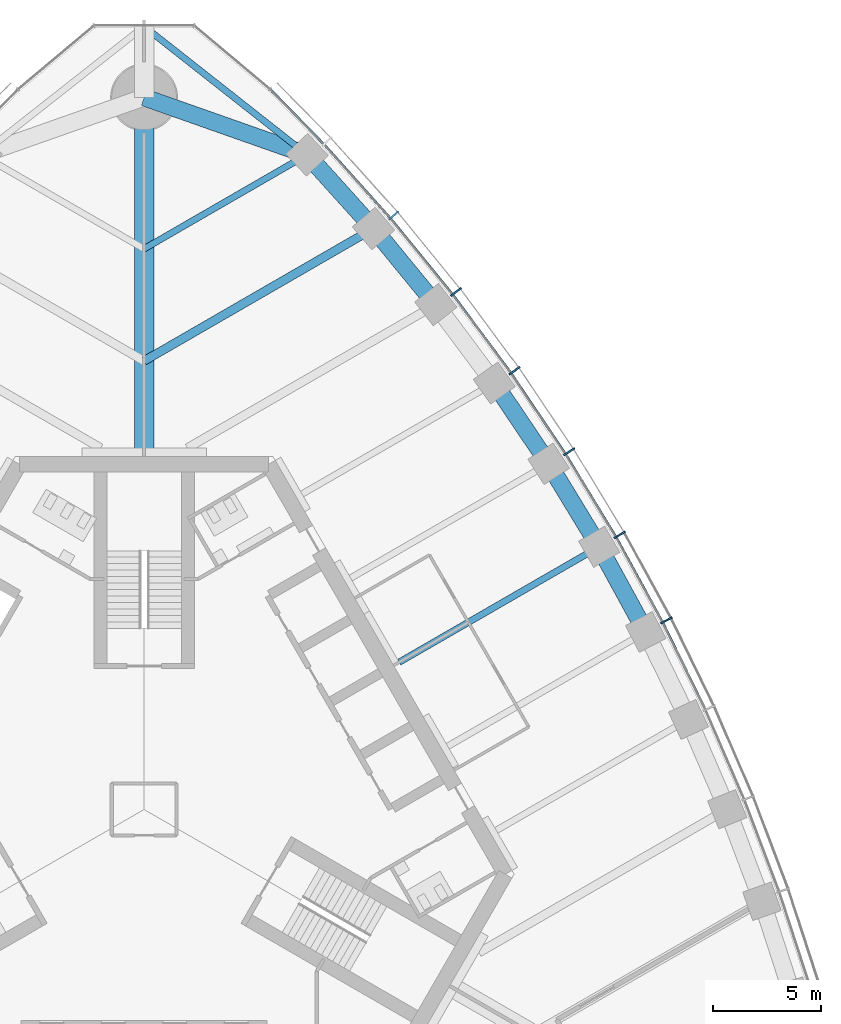
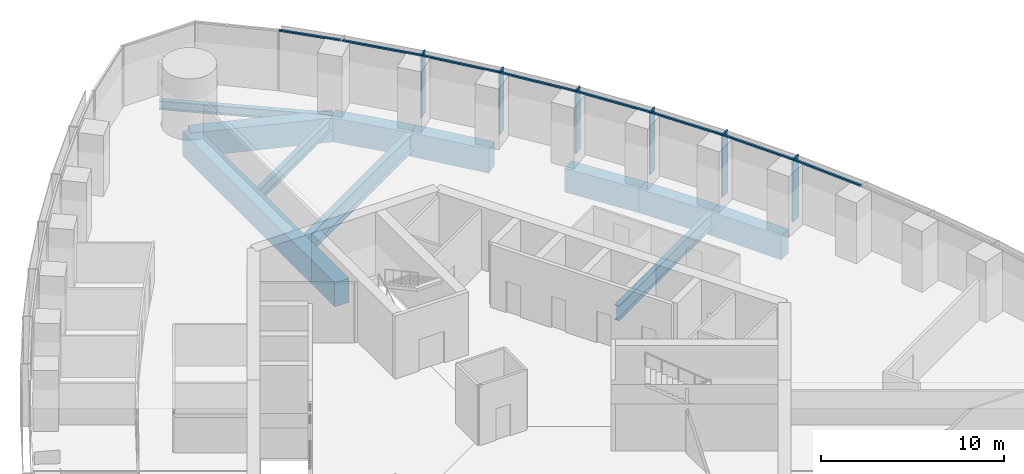
# One storey, part 7 of 19: 14 members, 11 beams, 1 element without a shape of its own.
"""IFC4 building model written with IfcOpenShell, lengths in metres."""

from ifc_helpers import new_model, si_unit, direction, frame, origin, origin_2d, place, context, subcontext, project, spatial, rectangle, i_section, extrude, material, material_profile, profile_set, type_object, element, aggregate, save


model = new_model("IFC4")

# Units and contexts
model_context = context("Model", 3, precision=1e-05, world=origin(), true_north=direction((0.0, 1.0)))
body_context = subcontext(model_context, "Body", "Model", "MODEL_VIEW")
ifc_project = project(units=[si_unit("LENGTHUNIT", "METRE"), si_unit("AREAUNIT", "SQUARE_METRE"), si_unit("VOLUMEUNIT", "CUBIC_METRE"), si_unit("PLANEANGLEUNIT", "RADIAN"), si_unit("MASSUNIT", "GRAM", prefix="KILO")], contexts=[model_context])

# Site, building, storey
site_placement = place(None, origin())
site = spatial("IfcSite", under=ifc_project, at=site_placement, CompositionType="ELEMENT")
building_placement = place(site_placement, origin())
building = spatial("IfcBuilding", under=site, at=building_placement, Name="Trefoil Bronze Tower", CompositionType="ELEMENT")
storey_placement = place(building_placement, frame((0.0, 0.0, 248.5)))
storey = spatial("IfcBuildingStorey", under=building, at=storey_placement, Name="L57", CompositionType="ELEMENT", Elevation=248.5)

# Curtain wall, members
ifc_material_1 = material(Name="Tinted solar-control glass", Category="glass")
curtain_wall_type = type_object("IfcCurtainWallType", Name="Bronze office curtain wall", PredefinedType="USERDEFINED", material=ifc_material_1)
curtain_wall_placement = place(storey_placement, origin())
curtain_wall = element("IfcCurtainWall", 1, at=curtain_wall_placement, inside=storey, type_object=curtain_wall_type, Name="CW-A L57 F2", ObjectType="CURTAIN WALL", PredefinedType="USERDEFINED")
ifc_material_2 = material(Name="Bronze-finish aluminium", Category="aluminium")
ifc_material_profile_1 = material_profile(ifc_material_2, rectangle(XDim=0.60009765625, YDim=0.080078125, at=origin_2d()), Name="CW-A mullion")
ifc_profile_set_1 = profile_set([ifc_material_profile_1], Name="Bronze-finish aluminium")
member_type_1 = type_object("IfcMemberType", Name="Bronze office curtain wall mullion", PredefinedType="MULLION", material=ifc_profile_set_1)
member_1_placement = place(storey_placement, frame((24.2080078125, 8.764404296875, 0.0), z_axis=(0.0, 0.0, 1.0), x_axis=(-0.888088206965, -0.459673075837, 0.0)))
member_1 = element("IfcMember", 2, at=member_1_placement, type_object=member_type_1, Name="CW-A L57 F2 mullion 6", PredefinedType="MULLION", context=body_context, shape_type="SweptSolid", body=[
    extrude(rectangle(XDim=0.60009765625, YDim=0.080078125, at=origin_2d()), origin(), (0.0, 0.0, 1.0), 4.179931640625),
])
member_2_placement = place(storey_placement, frame((22.041015625, 12.725341796875, 0.0), z_axis=(0.0, 0.0, 1.0), x_axis=(-0.866025403784, -0.5, 0.0)))
member_2 = element("IfcMember", 3, at=member_2_placement, type_object=member_type_1, Name="CW-A L57 F2 mullion 7", PredefinedType="MULLION", context=body_context, shape_type="SweptSolid", body=[
    extrude(rectangle(XDim=0.60009765625, YDim=0.080078125, at=origin_2d()), origin(), (0.0, 0.0, 1.0), 4.179931640625),
])
member_3_placement = place(storey_placement, frame((19.694091796875, 16.58251953125, 0.0), z_axis=(0.0, 0.0, 1.0), x_axis=(-0.842132664593, -0.539270410114, 0.0)))
member_3 = element("IfcMember", 4, at=member_3_placement, type_object=member_type_1, Name="CW-A L57 F2 mullion 8", PredefinedType="MULLION", context=body_context, shape_type="SweptSolid", body=[
    extrude(rectangle(XDim=0.60009765625, YDim=0.080078125, at=origin_2d()), origin(), (0.0, 0.0, 1.0), 4.179931640625),
])
member_4_placement = place(storey_placement, frame((17.167236328125, 20.335693359375, 0.0), z_axis=(0.0, 0.0, 1.0), x_axis=(-0.81640398396, -0.577481198806, 0.0)))
member_4 = element("IfcMember", 5, at=member_4_placement, type_object=member_type_1, Name="CW-A L57 F2 mullion 9", PredefinedType="MULLION", context=body_context, shape_type="SweptSolid", body=[
    extrude(rectangle(XDim=0.60009765625, YDim=0.080078125, at=origin_2d()), origin(), (0.0, 0.0, 1.0), 4.179931640625),
])
member_5_placement = place(storey_placement, frame((14.45849609375, 23.98388671875, 0.0), z_axis=(0.0, 0.0, 1.0), x_axis=(-0.788821461078, -0.614622406476, 0.0)))
member_5 = element("IfcMember", 6, at=member_5_placement, type_object=member_type_1, Name="CW-A L57 F2 mullion 10", PredefinedType="MULLION", context=body_context, shape_type="SweptSolid", body=[
    extrude(rectangle(XDim=0.60009765625, YDim=0.080078125, at=origin_2d()), origin(), (0.0, 0.0, 1.0), 4.179931640625),
])
member_6_placement = place(storey_placement, frame((11.564697265625, 27.525146484375, 0.0), z_axis=(0.0, 0.0, 1.0), x_axis=(-0.75935470958, -0.650676897576, 0.0)))
member_6 = element("IfcMember", 7, at=member_6_placement, type_object=member_type_1, Name="CW-A L57 F2 mullion 11", PredefinedType="MULLION", context=body_context, shape_type="SweptSolid", body=[
    extrude(rectangle(XDim=0.60009765625, YDim=0.080078125, at=origin_2d()), origin(), (0.0, 0.0, 1.0), 4.179931640625),
])
ifc_material_3 = material(Name="Bronze-finish aluminium", Category="aluminium")
ifc_material_profile_2 = material_profile(ifc_material_3, rectangle(XDim=0.1201171875, YDim=0.10009765625, at=origin_2d()), Name="CW-A transom")
ifc_profile_set_2 = profile_set([ifc_material_profile_2], Name="Bronze-finish aluminium")
member_type_2 = type_object("IfcMemberType", Name="Bronze office curtain wall transom", PredefinedType="USERDEFINED", material=ifc_profile_set_2)
member_7_placement = place(storey_placement, frame((25.99462890625, 4.65380859375, 4.1298828125), z_axis=(-0.439150835991, 0.898413347657, 0.0), x_axis=(-0.898413347657, -0.439150835991, 0.0)))
member_7 = element("IfcMember", 8, at=member_7_placement, type_object=member_type_2, Name="CW-A L57 F2 transom 5", ObjectType="TRANSOM", PredefinedType="USERDEFINED", context=body_context, shape_type="SweptSolid", body=[
    extrude(rectangle(XDim=0.1201171875, YDim=0.10009765625, at=origin_2d()), origin(), (0.0, 0.0, 1.0), 4.430908203125),
])
member_8_placement = place(storey_placement, frame((24.010009765625, 8.70947265625, 4.1298828125), z_axis=(-0.479973729071, 0.877282861683, 0.0), x_axis=(-0.877282861683, -0.479973729071, 0.0)))
member_8 = element("IfcMember", 9, at=member_8_placement, type_object=member_type_2, Name="CW-A L57 F2 transom 6", ObjectType="TRANSOM", PredefinedType="USERDEFINED", context=body_context, shape_type="SweptSolid", body=[
    extrude(rectangle(XDim=0.1201171875, YDim=0.10009765625, at=origin_2d()), origin(), (0.0, 0.0, 1.0), 4.421142578125),
])
member_9_placement = place(storey_placement, frame((21.845703125, 12.661376953125, 4.1298828125), z_axis=(-0.519740214649, 0.854324358354, 0.0), x_axis=(-0.854324358354, -0.519740214649, 0.0)))
member_9 = element("IfcMember", 10, at=member_9_placement, type_object=member_type_2, Name="CW-A L57 F2 transom 7", ObjectType="TRANSOM", PredefinedType="USERDEFINED", context=body_context, shape_type="SweptSolid", body=[
    extrude(rectangle(XDim=0.1201171875, YDim=0.10009765625, at=origin_2d()), origin(), (0.0, 0.0, 1.0), 4.421142578125),
])
member_10_placement = place(storey_placement, frame((19.502197265625, 16.509765625, 4.1298828125), z_axis=(-0.558509087547, 0.829498402125, 0.0), x_axis=(-0.829498402125, -0.558509087547, 0.0)))
member_10 = element("IfcMember", 11, at=member_10_placement, type_object=member_type_2, Name="CW-A L57 F2 transom 8", ObjectType="TRANSOM", PredefinedType="USERDEFINED", context=body_context, shape_type="SweptSolid", body=[
    extrude(rectangle(XDim=0.1201171875, YDim=0.10009765625, at=origin_2d()), origin(), (0.0, 0.0, 1.0), 4.4306640625),
])
member_11_placement = place(storey_placement, frame((16.978759765625, 20.254150390625, 4.1298828125), z_axis=(-0.59614822717, 0.802874393191, 0.0), x_axis=(-0.802874393191, -0.59614822717, 0.0)))
member_11 = element("IfcMember", 12, at=member_11_placement, type_object=member_type_2, Name="CW-A L57 F2 transom 9", ObjectType="TRANSOM", PredefinedType="USERDEFINED", context=body_context, shape_type="SweptSolid", body=[
    extrude(rectangle(XDim=0.1201171875, YDim=0.10009765625, at=origin_2d()), origin(), (0.0, 0.0, 1.0), 4.449951171875),
])
member_12_placement = place(storey_placement, frame((14.27392578125, 23.8935546875, 4.1298828125), z_axis=(-0.632756871921, 0.774350528531, 0.0), x_axis=(-0.774350528531, -0.632756871921, 0.0)))
member_12 = element("IfcMember", 13, at=member_12_placement, type_object=member_type_2, Name="CW-A L57 F2 transom 10", ObjectType="TRANSOM", PredefinedType="USERDEFINED", context=body_context, shape_type="SweptSolid", body=[
    extrude(rectangle(XDim=0.1201171875, YDim=0.10009765625, at=origin_2d()), origin(), (0.0, 0.0, 1.0), 4.4794921875),
])
member_13_placement = place(storey_placement, frame((11.384521484375, 27.426513671875, 4.1298828125), z_axis=(-0.66825109551, 0.743935799213, 0.0), x_axis=(-0.743935799213, -0.66825109551, 0.0)))
member_13 = element("IfcMember", 14, at=member_13_placement, type_object=member_type_2, Name="CW-A L57 F2 transom 11", ObjectType="TRANSOM", PredefinedType="USERDEFINED", context=body_context, shape_type="SweptSolid", body=[
    extrude(rectangle(XDim=0.1201171875, YDim=0.10009765625, at=origin_2d()), origin(), (0.0, 0.0, 1.0), 4.519287109375),
])
member_14_placement = place(storey_placement, frame((8.306884765625, 30.85009765625, 4.1298828125), z_axis=(-0.698646935368, 0.715466602785, 0.0), x_axis=(-0.715466602785, -0.698646935368, 0.0)))
member_14 = element("IfcMember", 15, at=member_14_placement, type_object=member_type_2, Name="CW-A L57 F2 transom 12", ObjectType="TRANSOM", PredefinedType="USERDEFINED", context=body_context, shape_type="SweptSolid", body=[
    extrude(rectangle(XDim=0.1201171875, YDim=0.10009765625, at=origin_2d()), origin(), (0.0, 0.0, 1.0), 3.483642578125),
])
aggregate(curtain_wall, [member_1, member_2, member_3, member_4, member_5, member_6, member_7, member_8, member_9, member_10, member_11, member_12, member_13, member_14])

# Beams
ifc_material_4 = material(Name="Steel C355", Category="steel")
ifc_material_profile_3 = material_profile(ifc_material_4, i_section(OverallWidth=0.300048828125, OverallDepth=0.60009765625, WebThickness=0.015380859375, FlangeThickness=0.030029296875, FilletRadius=0.027099609375, at=origin_2d()), Name="HEB 600")
ifc_profile_set_3 = profile_set([ifc_material_profile_3], Name="Steel C355")
beam_type_1 = type_object("IfcBeamType", Name="Corner edge beam HEB 600", PredefinedType="BEAM", material=ifc_profile_set_3)
beam_1_placement = place(storey_placement, frame((7.552001953125, 30.3408203125, -0.5), z_axis=(-0.785805912008, 0.618473175371, 0.0), x_axis=(-0.618473175371, -0.785805912008, 0.0)))
element("IfcBeam", 16, at=beam_1_placement, inside=storey, type_object=beam_type_1, Name="Corner edge beam F2A L57", PredefinedType="BEAM", context=body_context, shape_type="SweptSolid", body=[
    extrude(i_section(OverallWidth=0.300048828125, OverallDepth=0.60009765625, WebThickness=0.015380859375, FlangeThickness=0.030029296875, FilletRadius=0.027099609375, at=origin_2d()), origin(), (0.0, 0.0, 1.0), 9.610595703125),
])
ifc_material_5 = material(Name="Concrete B80", Category="concrete")
ifc_material_profile_4 = material_profile(ifc_material_5, rectangle(XDim=0.89990234375, YDim=1.60009765625, at=origin_2d()), Name="RC 900x1600")
ifc_profile_set_4 = profile_set([ifc_material_profile_4], Name="Concrete B80")
beam_type_2 = type_object("IfcBeamType", Name="Corner girder RC 900x1600", PredefinedType="BEAM", material=ifc_profile_set_4)
beam_2_placement = place(storey_placement, frame((0.0, 16.35009765625, -1.0), z_axis=(0.0, 1.0, 0.0), x_axis=(-1.0, 0.0, 0.0)))
element("IfcBeam", 17, at=beam_2_placement, inside=storey, type_object=beam_type_2, Name="Corner girder K2 L57", PredefinedType="BEAM", context=body_context, shape_type="SweptSolid", body=[
    extrude(rectangle(XDim=0.89990234375, YDim=1.60009765625, at=origin_2d()), origin(), (0.0, 0.0, 1.0), 16.64990234375),
])
ifc_material_6 = material(Name="Concrete B80", Category="concrete")
ifc_material_profile_5 = material_profile(ifc_material_6, rectangle(XDim=0.800048828125, YDim=1.60009765625, at=origin_2d()), Name="RC 800x1600")
ifc_profile_set_5 = profile_set([ifc_material_profile_5], Name="Concrete B80")
beam_type_3 = type_object("IfcBeamType", Name="End spandrel beam RC 800x1600", PredefinedType="SPANDREL", material=ifc_profile_set_5)
beam_3_placement = place(storey_placement, frame((7.552001953125, 30.3408203125, -1.0), z_axis=(-0.943234397359, 0.332127794137, 0.0), x_axis=(-0.332127794137, -0.943234397359, 0.0)))
element("IfcBeam", 18, at=beam_3_placement, inside=storey, type_object=beam_type_3, Name="Spandrel F2.12 L57", PredefinedType="SPANDREL", context=body_context, shape_type="SweptSolid", body=[
    extrude(rectangle(XDim=0.800048828125, YDim=1.60009765625, at=origin_2d()), origin(), (0.0, 0.0, 1.0), 8.006591796875),
])
ifc_material_7 = material(Name="Steel C355", Category="steel")
ifc_material_profile_6 = material_profile(ifc_material_7, i_section(OverallWidth=0.300048828125, OverallDepth=0.800048828125, WebThickness=0.017578125, FlangeThickness=0.032958984375, FilletRadius=0.030029296875, at=origin_2d()), Name="HEB 800")
ifc_profile_set_6 = profile_set([ifc_material_profile_6], Name="Steel C355")
beam_type_4 = type_object("IfcBeamType", Name="Floor beam HEB 800", PredefinedType="BEAM", material=ifc_profile_set_6)
beam_4_placement = place(storey_placement, frame((7.552001953125, 30.3408203125, -0.60009765625), z_axis=(-0.866027535932, -0.499996306993, 0.0), x_axis=(0.499996306993, -0.866027535932, 0.0)))
element("IfcBeam", 19, at=beam_4_placement, inside=storey, type_object=beam_type_4, Name="Floor beam F2/+5 L57", PredefinedType="BEAM", context=body_context, shape_type="SweptSolid", body=[
    extrude(i_section(OverallWidth=0.300048828125, OverallDepth=0.800048828125, WebThickness=0.017578125, FlangeThickness=0.032958984375, FilletRadius=0.030029296875, at=origin_2d()), origin(), (0.0, 0.0, 1.0), 8.72021484375),
])
ifc_material_8 = material(Name="Steel C355", Category="steel")
ifc_material_profile_7 = material_profile(ifc_material_8, i_section(OverallWidth=0.302001953125, OverallDepth=1.008056640625, WebThickness=0.02099609375, FlangeThickness=0.0400390625, FilletRadius=0.030029296875, at=origin_2d()), Name="HEM 1000")
ifc_profile_set_7 = profile_set([ifc_material_profile_7], Name="Steel C355")
beam_type_5 = type_object("IfcBeamType", Name="Floor beam HEM 1000", PredefinedType="BEAM", material=ifc_profile_set_7)
beam_5_placement = place(storey_placement, frame((21.08837890625, 12.17529296875, -0.7041015625), z_axis=(-0.86602601154, -0.499998947334, 0.0), x_axis=(0.499998947334, -0.86602601154, 0.0)))
element("IfcBeam", 20, at=beam_5_placement, inside=storey, type_object=beam_type_5, Name="Floor beam F2/+0 L57", PredefinedType="BEAM", context=body_context, shape_type="SweptSolid", body=[
    extrude(i_section(OverallWidth=0.302001953125, OverallDepth=1.008056640625, WebThickness=0.02099609375, FlangeThickness=0.0400390625, FilletRadius=0.030029296875, at=origin_2d()), origin(), (0.0, 0.0, 1.0), 10.70068359375),
])
ifc_material_9 = material(Name="Steel C355", Category="steel")
ifc_material_profile_8 = material_profile(ifc_material_9, i_section(OverallWidth=0.39990234375, OverallDepth=1.199951171875, WebThickness=0.02001953125, FlangeThickness=0.0400390625, FilletRadius=0.010009765625, at=origin_2d()), Name="WPG 1200")
ifc_profile_set_8 = profile_set([ifc_material_profile_8], Name="Steel C355")
beam_type_6 = type_object("IfcBeamType", Name="Floor beam WPG 1200", PredefinedType="BEAM", material=ifc_profile_set_8)
beam_6_placement = place(storey_placement, frame((10.632080078125, 26.923095703125, -0.800048828125), z_axis=(-0.866025635187, -0.499999599199, 0.0), x_axis=(0.499999599199, -0.866025635187, 0.0)))
element("IfcBeam", 21, at=beam_6_placement, inside=storey, type_object=beam_type_6, Name="Floor beam F2/+4 L57", PredefinedType="BEAM", context=body_context, shape_type="SweptSolid", body=[
    extrude(i_section(OverallWidth=0.39990234375, OverallDepth=1.199951171875, WebThickness=0.02001953125, FlangeThickness=0.0400390625, FilletRadius=0.010009765625, at=origin_2d()), origin(), (0.0, 0.0, 1.0), 12.27685546875),
])
ifc_material_10 = material(Name="Concrete B80", Category="concrete")
ifc_material_profile_9 = material_profile(ifc_material_10, rectangle(XDim=0.800048828125, YDim=1.60009765625, at=origin_2d()), Name="RC 800x1600")
ifc_profile_set_9 = profile_set([ifc_material_profile_9], Name="Concrete B80")
beam_type_7 = type_object("IfcBeamType", Name="Spandrel beam RC 800x1600", PredefinedType="SPANDREL", material=ifc_profile_set_9)
for number, where, z_axis, x_axis, name in (
    (22, (23.248046875, 8.22607421875, -1.0), (-0.479801903802, 0.87737684783, 0.0), (-0.87737684783, -0.479801903802, 0.0), "Spandrel F2.6 L57"),
    (23, (21.08837890625, 12.17529296875, -1.0), (-0.519933181394, 0.854206934464, 0.0), (-0.854206934464, -0.519933181394, 0.0), "Spandrel F2.7 L57"),
):
    element("IfcBeam", number, at=place(storey_placement, frame(where, z_axis=z_axis, x_axis=x_axis)), inside=storey, type_object=beam_type_7, Name=name, PredefinedType="SPANDREL", context=body_context, shape_type="SweptSolid", body=[
        extrude(rectangle(XDim=0.800048828125, YDim=1.60009765625, at=origin_2d()), origin(), (0.0, 0.0, 1.0), 4.501220703125),
    ])
beam_7_placement = place(storey_placement, frame((18.748046875, 16.020263671875, -1.0), z_axis=(-0.558964302753, 0.829191719838, 0.0), x_axis=(-0.829191719838, -0.558964302753, 0.0)))
element("IfcBeam", 24, at=beam_7_placement, inside=storey, type_object=beam_type_7, Name="Spandrel F2.8 L57", PredefinedType="SPANDREL", context=body_context, shape_type="SweptSolid", body=[
    extrude(rectangle(XDim=0.800048828125, YDim=1.60009765625, at=origin_2d()), origin(), (0.0, 0.0, 1.0), 4.510986328125),
])
beam_8_placement = place(storey_placement, frame((13.522216796875, 23.3955078125, -1.0), z_axis=(-0.633753657863, 0.773534938542, 0.0), x_axis=(-0.773534938542, -0.633753657863, 0.0)))
element("IfcBeam", 25, at=beam_8_placement, inside=storey, type_object=beam_type_7, Name="Spandrel F2.10 L57", PredefinedType="SPANDREL", context=body_context, shape_type="SweptSolid", body=[
    extrude(rectangle(XDim=0.800048828125, YDim=1.60009765625, at=origin_2d()), origin(), (0.0, 0.0, 1.0), 4.560302734375),
])
beam_9_placement = place(storey_placement, frame((10.632080078125, 26.923095703125, -1.0), z_axis=(-0.669460045872, 0.742848064534, 0.0), x_axis=(-0.742848064534, -0.669460045872, 0.0)))
element("IfcBeam", 26, at=beam_9_placement, inside=storey, type_object=beam_type_7, Name="Spandrel F2.11 L57", PredefinedType="SPANDREL", context=body_context, shape_type="SweptSolid", body=[
    extrude(rectangle(XDim=0.800048828125, YDim=1.60009765625, at=origin_2d()), origin(), (0.0, 0.0, 1.0), 4.600830078125),
])

save(model, "model.ifc")
